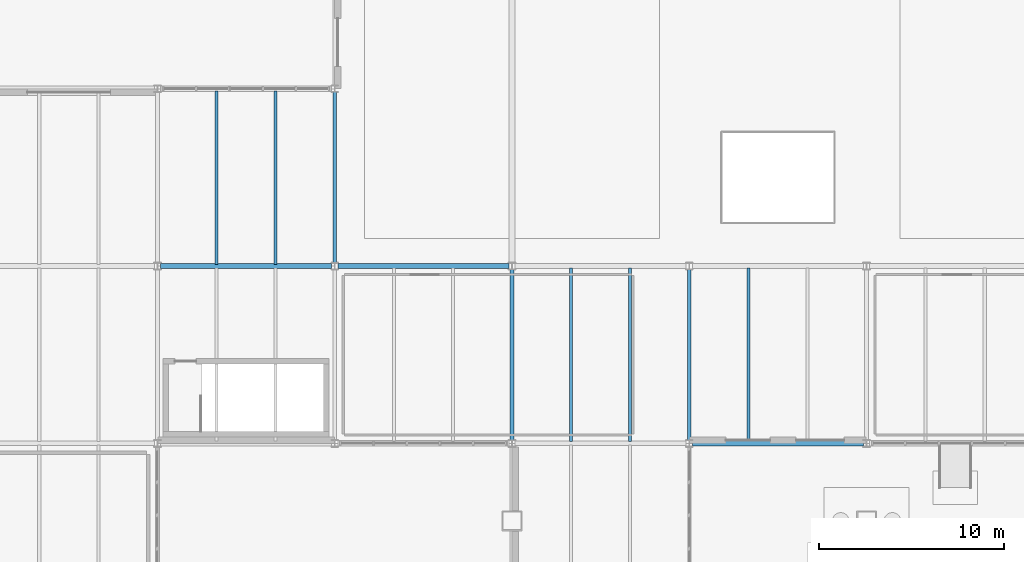
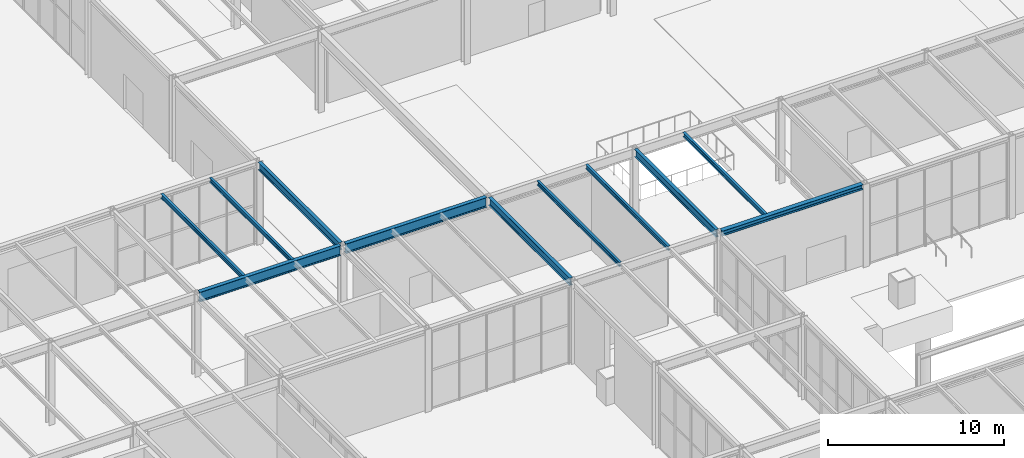
# One storey, part 58 of 142: 11 beams.
"""IFC4 building model written with IfcOpenShell, lengths in metres."""

from ifc_helpers import new_model, si_unit, direction, frame, origin, origin_2d, place, context, subcontext, project, spatial, i_section, extrude, material, material_profile, profile_set, type_object, element, save


model = new_model("IFC4")

# Units and contexts
model_context = context("Model", 3, precision=1e-05, world=origin(), true_north=direction((0.0, 1.0)))
body_context = subcontext(model_context, "Body", "Model", "MODEL_VIEW")
ifc_project = project(units=[si_unit("LENGTHUNIT", "METRE"), si_unit("AREAUNIT", "SQUARE_METRE"), si_unit("VOLUMEUNIT", "CUBIC_METRE"), si_unit("PLANEANGLEUNIT", "RADIAN"), si_unit("MASSUNIT", "GRAM", prefix="KILO")], contexts=[model_context])

# Site, building, storey
site_placement = place(None, origin())
site = spatial("IfcSite", under=ifc_project, at=site_placement, CompositionType="ELEMENT")
building_placement = place(site_placement, origin())
building = spatial("IfcBuilding", under=site, at=building_placement, Name="Coralgate Yard Interchange", CompositionType="ELEMENT")
storey_placement = place(building_placement, origin())
storey = spatial("IfcBuildingStorey", under=building, at=storey_placement, Name="L00", CompositionType="ELEMENT", Elevation=0.0)

# Beams
ifc_material = material(Name="Structural steel S355J2", Category="steel")
ifc_material_profile_1 = material_profile(ifc_material, i_section(OverallWidth=0.209228515625, OverallDepth=0.533203125, WebThickness=0.010009765625, FlangeThickness=0.015625, FilletRadius=0.0126953125, at=origin_2d()), Name="UB 533x210x92")
ifc_profile_set_1 = profile_set([ifc_material_profile_1], Name="Structural steel S355J2")
beam_type_1 = type_object("IfcBeamType", Name="BM-SB-1", PredefinedType="BEAM", material=ifc_profile_set_1)
for number, where, z_axis, x_axis, name in (
    (1, (38.39990234375, 48.166748046875, 5.4833984375), (0.0, 1.0, 0.0), (-1.0, 0.0, 0.0), "L00 primary grid girder X4 Y5-6"),
    (2, (48.0, 38.56689453125, 5.4833984375), (0.0, 1.0, 0.0), (-1.0, 0.0, 0.0), "L00 primary grid girder X5 Y4-5"),
    (3, (57.60009765625, 38.56689453125, 5.4833984375), (0.0, 1.0, 0.0), (-1.0, 0.0, 0.0), "L00 primary grid girder X6 Y4-5"),
):
    element("IfcBeam", number, at=place(storey_placement, frame(where, z_axis=z_axis, x_axis=x_axis)), inside=storey, type_object=beam_type_1, Name=name, PredefinedType="BEAM", context=body_context, shape_type="SweptSolid", body=[
        extrude(i_section(OverallWidth=0.209228515625, OverallDepth=0.533203125, WebThickness=0.010009765625, FlangeThickness=0.015625, FilletRadius=0.0126953125, at=origin_2d()), origin(), (0.0, 0.0, 1.0), 9.266357421875),
    ])
ifc_material_profile_2 = material_profile(ifc_material, i_section(OverallWidth=0.253662109375, OverallDepth=0.68359375, WebThickness=0.012451171875, FlangeThickness=0.01904296875, FilletRadius=0.01513671875, at=origin_2d()), Name="UB 686x254x140")
ifc_profile_set_2 = profile_set([ifc_material_profile_2], Name="Structural steel S355J2")
beam_type_2 = type_object("IfcBeamType", Name="BM-SG-4", PredefinedType="BEAM", material=ifc_profile_set_2)
for number, where, z_axis, x_axis, name in (
    (4, (28.969482421875, 48.0, 5.408203125), (1.0, 0.0, 0.0), (0.0, 1.0, 0.0), "L00 primary grid beam Y5 X3-4"),
    (5, (38.569580078125, 48.0, 5.408203125), (1.0, 0.0, 0.0), (0.0, 1.0, 0.0), "L00 primary grid beam Y5 X4-5"),
):
    element("IfcBeam", number, at=place(storey_placement, frame(where, z_axis=z_axis, x_axis=x_axis)), inside=storey, type_object=beam_type_2, Name=name, PredefinedType="BEAM", context=body_context, shape_type="SweptSolid", body=[
        extrude(i_section(OverallWidth=0.253662109375, OverallDepth=0.68359375, WebThickness=0.012451171875, FlangeThickness=0.01904296875, FilletRadius=0.01513671875, at=origin_2d()), origin(), (0.0, 0.0, 1.0), 9.260986328125),
    ])
ifc_material_profile_3 = material_profile(ifc_material, i_section(OverallWidth=0.1650390625, OverallDepth=0.303466796875, WebThickness=0.006103515625, FlangeThickness=0.01025390625, FilletRadius=0.0087890625, at=origin_2d()), Name="UB 305x165x40")
ifc_profile_set_3 = profile_set([ifc_material_profile_3], Name="Structural steel S355J2")
beam_type_3 = type_object("IfcBeamType", Name="BM-SJ-1", PredefinedType="JOIST", material=ifc_profile_set_3)
for number, where, z_axis, x_axis, name in (
    (6, (32.0, 48.096923828125, 5.598388671875), (0.0, 1.0, 0.0), (-1.0, 0.0, 0.0), "L00 composite floor joist 3-5-1"),
    (7, (35.199951171875, 48.096923828125, 5.598388671875), (0.0, 1.0, 0.0), (-1.0, 0.0, 0.0), "L00 composite floor joist 3-5-2"),
):
    element("IfcBeam", number, at=place(storey_placement, frame(where, z_axis=z_axis, x_axis=x_axis)), inside=storey, type_object=beam_type_3, Name=name, PredefinedType="JOIST", context=body_context, shape_type="SweptSolid", body=[
        extrude(i_section(OverallWidth=0.1650390625, OverallDepth=0.303466796875, WebThickness=0.006103515625, FlangeThickness=0.01025390625, FilletRadius=0.0087890625, at=origin_2d()), origin(), (0.0, 0.0, 1.0), 9.383056640625),
    ])
for number, where, z_axis, x_axis, name in (
    (8, (51.199951171875, 38.496826171875, 5.598388671875), (0.0, 1.0, 0.0), (-1.0, 0.0, 0.0), "L00 composite floor joist 5-4-1"),
    (9, (54.39990234375, 38.496826171875, 5.598388671875), (0.0, 1.0, 0.0), (-1.0, 0.0, 0.0), "L00 composite floor joist 5-4-2"),
):
    element("IfcBeam", number, at=place(storey_placement, frame(where, z_axis=z_axis, x_axis=x_axis)), inside=storey, type_object=beam_type_3, Name=name, PredefinedType="JOIST", context=body_context, shape_type="SweptSolid", body=[
        extrude(i_section(OverallWidth=0.1650390625, OverallDepth=0.303466796875, WebThickness=0.006103515625, FlangeThickness=0.01025390625, FilletRadius=0.0087890625, at=origin_2d()), origin(), (0.0, 0.0, 1.0), 9.40625),
    ])
beam_1_placement = place(storey_placement, frame((60.800048828125, 38.52001953125, 5.598388671875), z_axis=(0.0, 1.0, 0.0), x_axis=(-1.0, 0.0, 0.0)))
element("IfcBeam", 10, at=beam_1_placement, inside=storey, type_object=beam_type_3, Name="L00 composite floor joist 6-4-1", PredefinedType="JOIST", context=body_context, shape_type="SweptSolid", body=[
    extrude(i_section(OverallWidth=0.1650390625, OverallDepth=0.303466796875, WebThickness=0.006103515625, FlangeThickness=0.01025390625, FilletRadius=0.0087890625, at=origin_2d()), origin(), (0.0, 0.0, 1.0), 9.383056640625),
])
ifc_material_profile_4 = material_profile(ifc_material, i_section(OverallWidth=0.300048828125, OverallDepth=0.35009765625, WebThickness=0.010009765625, FlangeThickness=0.017578125, FilletRadius=0.027099609375, at=origin_2d()), Name="HEA 360")
ifc_profile_set_4 = profile_set([ifc_material_profile_4], Name="Structural steel S355J2")
beam_type_4 = type_object("IfcBeamType", Name="BM-SP-1", PredefinedType="SPANDREL", material=ifc_profile_set_4)
beam_2_placement = place(storey_placement, frame((57.76953125, 38.39990234375, 5.574951171875), z_axis=(1.0, 0.0, 0.0), x_axis=(0.0, 1.0, 0.0)))
element("IfcBeam", 11, at=beam_2_placement, inside=storey, type_object=beam_type_4, Name="L00 primary grid beam Y4 X6-7", PredefinedType="SPANDREL", context=body_context, shape_type="SweptSolid", body=[
    extrude(i_section(OverallWidth=0.300048828125, OverallDepth=0.35009765625, WebThickness=0.010009765625, FlangeThickness=0.017578125, FilletRadius=0.027099609375, at=origin_2d()), origin(), (0.0, 0.0, 1.0), 9.260986328125),
])

save(model, "model.ifc")
